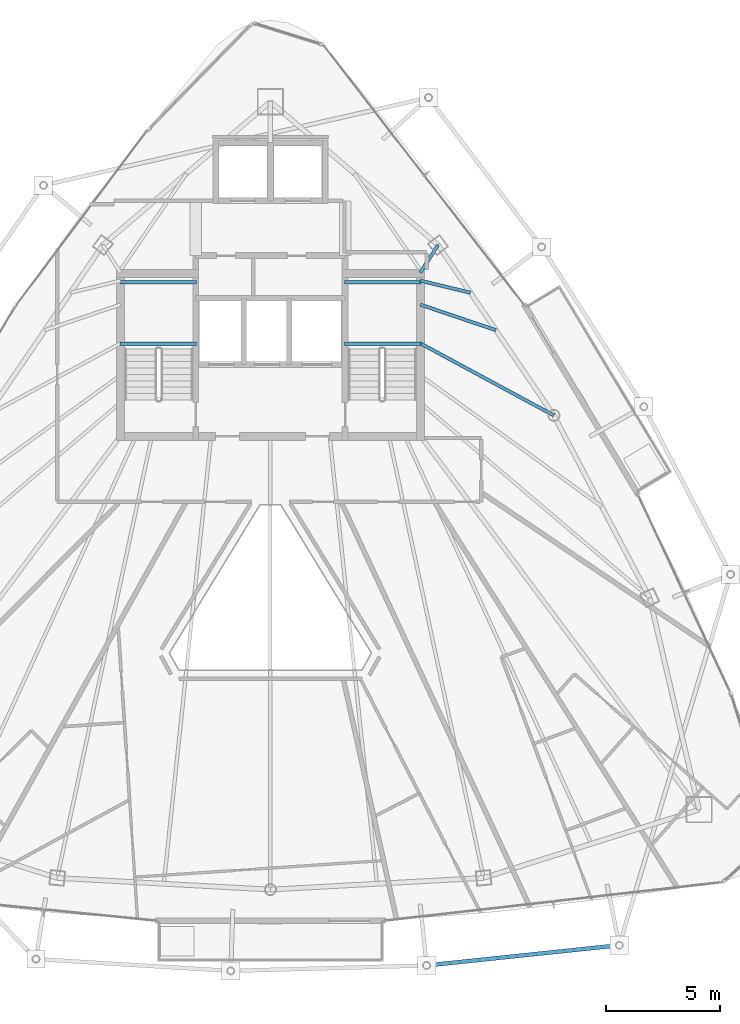
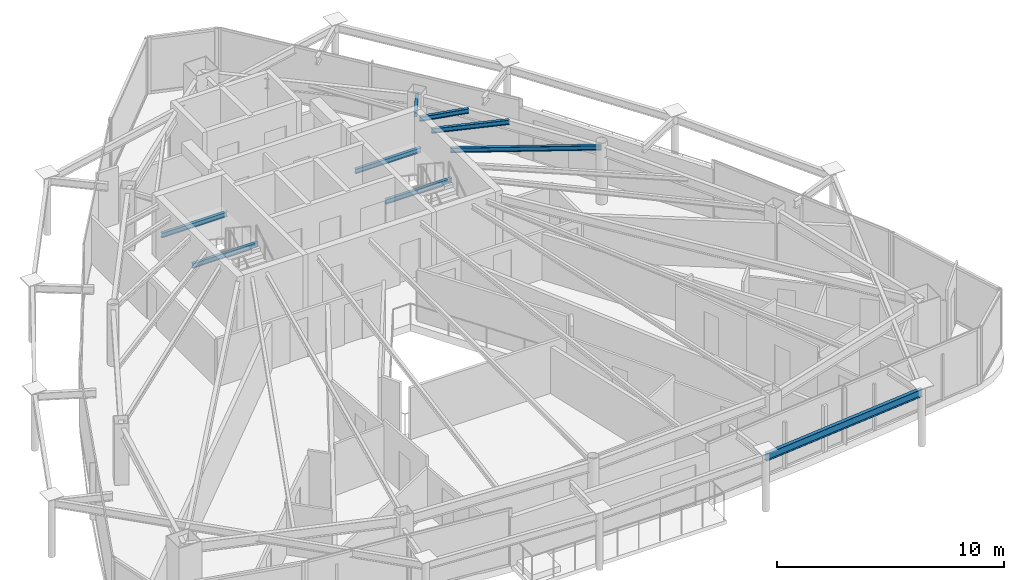
# One storey, part 13 of 29: 9 beams.
"""IFC4 building model written with IfcOpenShell, lengths in metres."""

import ifcopenshell
import ifcopenshell.guid

model = None  # the IFC model being written
_history = None  # IfcOwnerHistory: only IFC2X3 demands one
_inside = {}  # id of a spatial element -> (the spatial element, [elements in it])
_under = {}  # id of a project, library or spatial element -> (it, [spatial elements below it])
_declared = {}  # id of a project -> (the project, [libraries it declares])
_typed = {}  # id of a type object -> (the type object, [elements of that type])
_made_of = {}  # id of a material, layer set ... -> (it, [elements and type objects made of it])


def new_model(schema):
    """Start an empty IFC model of exactly this schema.

    Asked for "IFC4X3", IfcOpenShell would pick the latest addendum, in which some entities
    have other attributes; the version numbers below select the first issue.
    IFC2X3 requires an IfcOwnerHistory on every rooted entity: one is made here for all.
    """
    global model, _history
    if schema == "IFC4X3":
        model = ifcopenshell.file(schema_version=(4, 3, 0, 0))
    else:
        model = ifcopenshell.file(schema=schema)
    _inside.clear()
    _under.clear()
    _declared.clear()
    _typed.clear()
    _made_of.clear()
    _history = None
    if model.schema == "IFC2X3":
        org = make("IfcOrganization", Name="unknown")
        user = make(
            "IfcPersonAndOrganization",
            ThePerson=make("IfcPerson", FamilyName="unknown"),
            TheOrganization=org,
        )
        app = make(
            "IfcApplication",
            ApplicationDeveloper=org,
            Version="unknown",
            ApplicationFullName="unknown",
            ApplicationIdentifier="unknown",
        )
        _history = make(
            "IfcOwnerHistory",
            OwningUser=user,
            OwningApplication=app,
            ChangeAction="ADDED",
            CreationDate=0,
        )
    return model


def make(cls, **values):
    """One entity of the class cls with the attributes given. An attribute that is None is left unset."""
    return model.create_entity(
        cls, **{name: value for name, value in values.items() if value is not None}
    )


def rooted(cls, **values):
    """An entity with a GlobalId (a new one), such as an element, a storey or a relation."""
    return make(cls, GlobalId=ifcopenshell.guid.new(), OwnerHistory=_history, **values)


def si_unit(unit_type, name, prefix=None):
    """IfcSIUnit, for example si_unit("LENGTHUNIT", "METRE", prefix="MILLI")."""
    return make("IfcSIUnit", UnitType=unit_type, Prefix=prefix, Name=name)


def assignment(units):
    """IfcUnitAssignment: the units of a project."""
    return None if units is None else make("IfcUnitAssignment", Units=units)


def point(xyz):
    """IfcCartesianPoint."""
    return None if xyz is None else make("IfcCartesianPoint", Coordinates=xyz)


def direction(xyz):
    """IfcDirection."""
    return None if xyz is None else make("IfcDirection", DirectionRatios=xyz)


def frame(location, z_axis=None, x_axis=None):
    """IfcAxis2Placement3D, a coordinate frame: its origin and axes. An axis left out is left unset."""
    return make(
        "IfcAxis2Placement3D",
        Location=point(location),
        Axis=direction(z_axis),
        RefDirection=direction(x_axis),
    )


def frame_2d(location, x_axis=None):
    """IfcAxis2Placement2D, a coordinate frame in the plane: its origin and x axis."""
    return make(
        "IfcAxis2Placement2D", Location=point(location), RefDirection=direction(x_axis)
    )


def origin():
    """The frame at (0, 0, 0) with its axes left unset."""
    return frame((0.0, 0.0, 0.0))


def origin_2d():
    """The frame at (0, 0) in the plane with its x axis left unset."""
    return frame_2d((0.0, 0.0))


def place(relative_to, where):
    """IfcLocalPlacement: puts the frame where relative to a parent placement (None: the world)."""
    return make(
        "IfcLocalPlacement", PlacementRelTo=relative_to, RelativePlacement=where
    )


def context(
    kind, dimensions, precision=None, world=None, true_north=None, identifier=None
):
    """IfcGeometricRepresentationContext, for example the 3D "Model" context."""
    return make(
        "IfcGeometricRepresentationContext",
        ContextIdentifier=identifier,
        ContextType=kind,
        CoordinateSpaceDimension=dimensions,
        Precision=precision,
        WorldCoordinateSystem=world,
        TrueNorth=true_north,
    )


def subcontext(parent, identifier, kind, view, scale=None):
    """IfcGeometricRepresentationSubContext, for example "Body" below "Model"."""
    return make(
        "IfcGeometricRepresentationSubContext",
        ContextIdentifier=identifier,
        ContextType=kind,
        ParentContext=parent,
        TargetScale=scale,
        TargetView=view,
    )


def project(units=None, contexts=None):
    """IfcProject with its units and contexts."""
    return rooted(
        "IfcProject",
        Name="project",
        RepresentationContexts=contexts,
        UnitsInContext=assignment(units),
    )


def spatial(cls, under=None, at=None, **own):
    """A site, building, storey or space (cls), placed at a placement, below another one or the project."""
    s = rooted(cls, ObjectPlacement=at, **own)
    if under is not None:
        _under.setdefault(under.id(), (under, []))[1].append(s)
    return s


def profile(cls, at=None, kind="AREA", **sizes):
    """A parametric profile (cls). Its sizes go by their IFC names, for example OverallWidth=200.0."""
    return make(cls, ProfileType=kind, Position=at, **sizes)


def i_section(**sizes):
    """IfcIShapeProfileDef."""
    return profile("IfcIShapeProfileDef", **sizes)


def extrude(swept, where, along, depth):
    """IfcExtrudedAreaSolid: the profile swept, set in the frame where, extruded along a direction by depth."""
    return make(
        "IfcExtrudedAreaSolid",
        SweptArea=swept,
        Position=where,
        ExtrudedDirection=direction(along),
        Depth=depth,
    )


def shape(context_of_items, identifier, shape_type, items):
    """IfcShapeRepresentation: the items that make up one representation, for example the "Body"."""
    return make(
        "IfcShapeRepresentation",
        ContextOfItems=context_of_items,
        RepresentationIdentifier=identifier,
        RepresentationType=shape_type,
        Items=items,
    )


def material(Name=None, Category=None):
    """IfcMaterial."""
    return make("IfcMaterial", Name=Name, Category=Category)


def material_profile(
    of_material, cross_section, Name=None, Category=None, Priority=None
):
    """IfcMaterialProfile: a cross section and its material."""
    return make(
        "IfcMaterialProfile",
        Name=Name,
        Material=of_material,
        Profile=cross_section,
        Priority=Priority,
        Category=Category,
    )


def profile_set(profiles, Name=None, composite=None):
    """IfcMaterialProfileSet."""
    return make(
        "IfcMaterialProfileSet",
        Name=Name,
        MaterialProfiles=profiles,
        CompositeProfile=composite,
    )


def made_of(thing, what):
    """Note that an element or type object is made of a material, layer set ...; save() writes the relation."""
    if what is not None:
        _made_of.setdefault(what.id(), (what, []))[1].append(thing)
    return thing


def type_object(cls, material=None, **own):
    """A type object (cls), such as IfcWallType, which elements share."""
    return made_of(rooted(cls, **own), material)


def element(
    cls,
    number,
    at=None,
    inside=None,
    cuts=None,
    type_object=None,
    material=None,
    context=None,
    identifier="Body",
    shape_type=None,
    held_by="IfcProductDefinitionShape",
    body=None,
    shapes=None,
    **own,
):
    """One element of the class cls, such as IfcWall. Its Tag is "e" and its number.

    at: its placement. inside: the storey or other place that contains it. cuts: it is an
    opening in that element (IfcRelVoidsElement). A single representation is given by context,
    identifier, shape_type and body (its items); several are given by shapes. held_by: the class
    of the entity that holds the representations. save() writes the other relations.
    """
    e = rooted(cls, Tag="e%d" % number, ObjectPlacement=at, **own)
    if body is not None:
        shapes = [shape(context, identifier, shape_type, body)]
    if shapes is not None:
        e.Representation = make(held_by, Representations=shapes)
    if inside is not None:
        _inside.setdefault(inside.id(), (inside, []))[1].append(e)
    if cuts is not None:
        rooted(
            "IfcRelVoidsElement", RelatingBuildingElement=cuts, RelatedOpeningElement=e
        )
    if type_object is not None:
        _typed.setdefault(type_object.id(), (type_object, []))[1].append(e)
    return made_of(e, material)


def aggregate(whole, parts):
    """IfcRelAggregates: a whole, such as a stair, and the parts it consists of."""
    return rooted("IfcRelAggregates", RelatingObject=whole, RelatedObjects=parts)


def save(model, path):
    """Write the relations noted so far, then the file.

    IfcRelAggregates (storeys below a building ...), IfcRelContainedInSpatialStructure (elements
    in a storey), IfcRelDefinesByType, IfcRelAssociatesMaterial and IfcRelDeclares: one each for
    every whole, place, type object, material and project.
    """
    for whole, parts in _under.values():
        aggregate(whole, parts)
    for where, things in _inside.values():
        rooted(
            "IfcRelContainedInSpatialStructure",
            RelatedElements=things,
            RelatingStructure=where,
        )
    for kind, things in _typed.values():
        rooted("IfcRelDefinesByType", RelatedObjects=things, RelatingType=kind)
    for what, things in _made_of.values():
        rooted("IfcRelAssociatesMaterial", RelatedObjects=things, RelatingMaterial=what)
    for by, libraries in _declared.values():
        rooted("IfcRelDeclares", RelatingContext=by, RelatedDefinitions=libraries)
    model.write(path)


model = new_model("IFC4")

# Units and contexts
model_context = context("Model", 3, precision=1e-05, world=origin(), true_north=direction((0.0, 1.0)))
body_context = subcontext(model_context, "Body", "Model", "MODEL_VIEW")
ifc_project = project(units=[si_unit("LENGTHUNIT", "METRE"), si_unit("AREAUNIT", "SQUARE_METRE"), si_unit("VOLUMEUNIT", "CUBIC_METRE"), si_unit("PLANEANGLEUNIT", "RADIAN"), si_unit("MASSUNIT", "GRAM", prefix="KILO")], contexts=[model_context])

# Site, building, storey
site_placement = place(None, origin())
site = spatial("IfcSite", under=ifc_project, at=site_placement, CompositionType="ELEMENT")
building_placement = place(site_placement, origin())
building = spatial("IfcBuilding", under=site, at=building_placement, Name="Orvanel Arch Residences", CompositionType="ELEMENT")
storey_placement = place(building_placement, frame((0.0, 0.0, 256.85009765625)))
storey = spatial("IfcBuildingStorey", under=building, at=storey_placement, Name="L73", CompositionType="ELEMENT", Elevation=256.85009765625)

# Beams
ifc_material = material(Name="Structural steel AS/NZS 3679.1 Grade 300 (300 MPa)", Category="steel")
ifc_material_profile_1 = material_profile(ifc_material, i_section(OverallWidth=0.14599609375, OverallDepth=0.251953125, WebThickness=0.006103515625, FlangeThickness=0.008544921875, at=origin_2d()), Name="250UB31.4")
ifc_profile_set_1 = profile_set([ifc_material_profile_1], Name="Structural steel AS/NZS 3679.1 Grade 300 (300 MPa)")
beam_type_1 = type_object("IfcBeamType", Name="BJ-250UB", PredefinedType="JOIST", material=ifc_profile_set_1)
for number, where, z_axis, x_axis, name in (
    (1, (26.39990234375, 30.780029296875, 1.323974609375), (1.0, 0.0, 0.0), (0.0, 1.0, 0.0), "L73 ST-1 Half-Landing Support Beam 1.1"),
    (2, (26.39990234375, 33.47998046875, 1.323974609375), (1.0, 0.0, 0.0), (0.0, 1.0, 0.0), "L73 ST-1 Half-Landing Support Beam 1.2"),
    (3, (36.25, 30.780029296875, 1.323974609375), (1.0, 0.0, 0.0), (0.0, 1.0, 0.0), "L73 ST-2 Half-Landing Support Beam 1.1"),
    (4, (36.25, 33.47998046875, 1.323974609375), (1.0, 0.0, 0.0), (0.0, 1.0, 0.0), "L73 ST-2 Half-Landing Support Beam 1.2"),
):
    element("IfcBeam", number, at=place(storey_placement, frame(where, z_axis=z_axis, x_axis=x_axis)), inside=storey, type_object=beam_type_1, Name=name, PredefinedType="JOIST", context=body_context, shape_type="SweptSolid", body=[
        extrude(i_section(OverallWidth=0.14599609375, OverallDepth=0.251953125, WebThickness=0.006103515625, FlangeThickness=0.008544921875, at=origin_2d()), origin(), (0.0, 0.0, 1.0), 3.35009765625),
    ])
beam_1_placement = place(storey_placement, frame((39.574951171875, 33.89990234375, 2.933837890625), z_axis=(0.539395075146, 0.842052820735, 0.0), x_axis=(-0.842052820735, 0.539395075146, 0.0)))
element("IfcBeam", 5, at=beam_1_placement, inside=storey, type_object=beam_type_1, Name="L73 NNE Wing Floor Joist", PredefinedType="JOIST", context=body_context, shape_type="SweptSolid", body=[
    extrude(i_section(OverallWidth=0.14599609375, OverallDepth=0.251953125, WebThickness=0.006103515625, FlangeThickness=0.008544921875, at=origin_2d()), origin(), (0.0, 0.0, 1.0), 1.440673828125),
])
beam_2_placement = place(storey_placement, frame((39.574951171875, 30.800048828125, 2.933837890625), z_axis=(0.880111494021, -0.474767056664, 0.0), x_axis=(0.474767056664, 0.880111494021, 0.0)))
element("IfcBeam", 6, at=beam_2_placement, inside=storey, type_object=beam_type_1, Name="L73 NE Wing Floor Joist", PredefinedType="JOIST", context=body_context, shape_type="SweptSolid", body=[
    extrude(i_section(OverallWidth=0.14599609375, OverallDepth=0.251953125, WebThickness=0.006103515625, FlangeThickness=0.008544921875, at=origin_2d()), origin(), (0.0, 0.0, 1.0), 6.653564453125),
])
beam_3_placement = place(storey_placement, frame((39.574951171875, 32.5, 2.933837890625), z_axis=(0.947159269453, -0.320763648641, 0.0), x_axis=(0.320763648641, 0.947159269453, 0.0)))
element("IfcBeam", 7, at=beam_3_placement, inside=storey, type_object=beam_type_1, Name="L73 ENE Wing Floor Joist", PredefinedType="JOIST", context=body_context, shape_type="SweptSolid", body=[
    extrude(i_section(OverallWidth=0.14599609375, OverallDepth=0.251953125, WebThickness=0.006103515625, FlangeThickness=0.008544921875, at=origin_2d()), origin(), (0.0, 0.0, 1.0), 3.501220703125),
])
beam_4_placement = place(storey_placement, frame((39.574951171875, 33.550048828125, 2.933837890625), z_axis=(0.972256833016, -0.23391590509, 0.0), x_axis=(0.23391590509, 0.972256833016, 0.0)))
element("IfcBeam", 8, at=beam_4_placement, inside=storey, type_object=beam_type_1, Name="L73 JADD4 Wing Floor Joist", PredefinedType="JOIST", context=body_context, shape_type="SweptSolid", body=[
    extrude(i_section(OverallWidth=0.14599609375, OverallDepth=0.251953125, WebThickness=0.006103515625, FlangeThickness=0.008544921875, at=origin_2d()), origin(), (0.0, 0.0, 1.0), 2.26171875),
])
ifc_material_profile_2 = material_profile(ifc_material, i_section(OverallWidth=0.177978515625, OverallDepth=0.406005859375, WebThickness=0.0078125, FlangeThickness=0.0126953125, at=origin_2d()), Name="410UB59.7")
ifc_profile_set_2 = profile_set([ifc_material_profile_2], Name="Structural steel AS/NZS 3679.1 Grade 300 (300 MPa)")
beam_type_2 = type_object("IfcBeamType", Name="OB-410UB-EXT", PredefinedType="SPANDREL", material=ifc_profile_set_2)
beam_5_placement = place(storey_placement, frame((39.85205078125, 3.514892578125, 2.85693359375), z_axis=(0.994534382307, 0.104409589638, 0.0), x_axis=(-0.104409589638, 0.994534382307, 0.0)))
element("IfcBeam", 9, at=beam_5_placement, inside=storey, type_object=beam_type_2, Name="L73 Outer Perimeter Floor Ring Beam 07", PredefinedType="SPANDREL", context=body_context, shape_type="SweptSolid", body=[
    extrude(i_section(OverallWidth=0.177978515625, OverallDepth=0.406005859375, WebThickness=0.0078125, FlangeThickness=0.0126953125, at=origin_2d()), origin(), (0.0, 0.0, 1.0), 8.497314453125),
])

save(model, "model.ifc")
